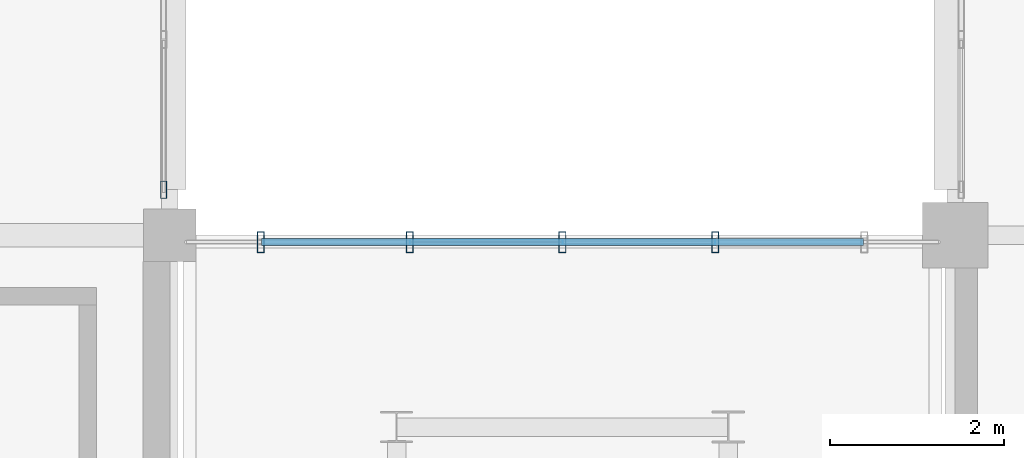
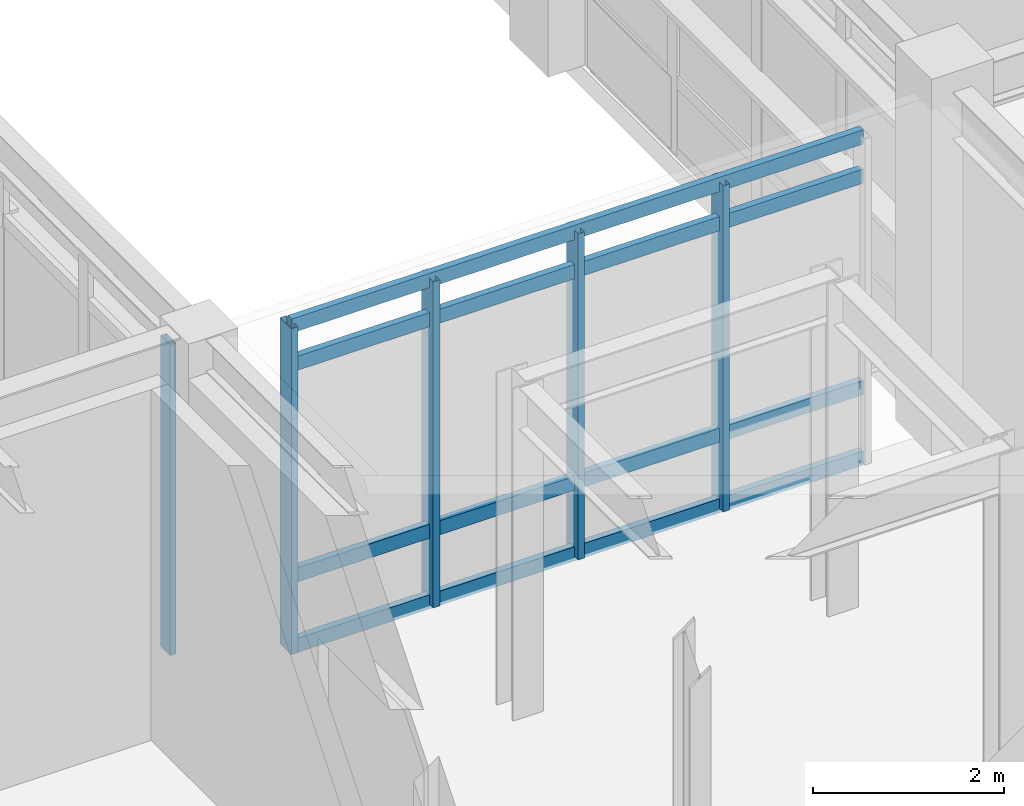
# One storey, part 93 of 200: 9 members, 2 elements without a shape of their own.
"""IFC4 building model written with IfcOpenShell, lengths in metres."""

from ifc_helpers import new_model, si_unit, direction, frame, origin, origin_2d, place, context, subcontext, project, spatial, hollow_rectangle, extrude, material, material_profile, profile_set, type_object, element, aggregate, save


model = new_model("IFC4")

# Units and contexts
model_context = context("Model", 3, precision=1e-05, world=origin(), true_north=direction((0.0, 1.0)))
body_context = subcontext(model_context, "Body", "Model", "MODEL_VIEW")
ifc_project = project(units=[si_unit("LENGTHUNIT", "METRE"), si_unit("AREAUNIT", "SQUARE_METRE"), si_unit("VOLUMEUNIT", "CUBIC_METRE"), si_unit("PLANEANGLEUNIT", "RADIAN"), si_unit("MASSUNIT", "GRAM", prefix="KILO"), si_unit("THERMODYNAMICTEMPERATUREUNIT", "KELVIN"), si_unit("POWERUNIT", "WATT")], contexts=[model_context])

# Site, building, storey
site_placement = place(None, origin())
site = spatial("IfcSite", under=ifc_project, at=site_placement, CompositionType="ELEMENT")
building_placement = place(site_placement, origin())
building = spatial("IfcBuilding", under=site, at=building_placement, Name="Tepalcoro Natatorium and Aquatics Centre", CompositionType="ELEMENT")
storey_placement = place(building_placement, frame((0.0, 0.0, 5.39990234375)))
storey = spatial("IfcBuildingStorey", under=building, at=storey_placement, Name="L01", CompositionType="ELEMENT", Elevation=5.39990234375)

# Curtain wall, member
ifc_material = material(Name="Bronze-Anodised Extruded Aluminium Alloy EN AW-6063 T6", Category="aluminium")
curtain_wall_type_1 = type_object("IfcCurtainWallType", Name="CW_LEAN_T2_EW", PredefinedType="USERDEFINED", material=ifc_material)
curtain_wall_1_placement = place(storey_placement, origin())
curtain_wall_1 = element("IfcCurtainWall", 1, at=curtain_wall_1_placement, inside=storey, type_object=curtain_wall_type_1, Name="V4 L01 E Unitised Curtain Wall Bay 3", ObjectType="FACETED SOLAR GLAZING", PredefinedType="USERDEFINED")
ifc_material_profile_1 = material_profile(ifc_material, hollow_rectangle(XDim=0.070068359375, YDim=0.199951171875, WallThickness=0.0048828125, at=origin_2d()), Name="AL70X200X5")
ifc_profile_set_1 = profile_set([ifc_material_profile_1], Name="Bronze-Anodised Extruded Aluminium Alloy EN AW-6063 T6")
member_type_1 = type_object("IfcMemberType", Name="CW_MUL_70x200", PredefinedType="MULLION", material=ifc_profile_set_1)
member_1_placement = place(storey_placement, frame((88.9287109375, 102.52001953125, 0.02001953125), z_axis=(0.0, 0.0, 1.0), x_axis=(1.0, 0.0, 0.0)))
member_1 = element("IfcMember", 2, at=member_1_placement, type_object=member_type_1, Name="CW_LEAN_T2_EW Curtain Wall Mullion", PredefinedType="MULLION", context=body_context, shape_type="SweptSolid", body=[
    extrude(hollow_rectangle(XDim=0.070068359375, YDim=0.199951171875, WallThickness=0.0048828125, at=origin_2d()), origin(), (0.0, 0.0, 1.0), 3.969970703125),
])
aggregate(curtain_wall_1, [member_1])

# Curtain wall, members
curtain_wall_type_2 = type_object("IfcCurtainWallType", Name="CW_LINK_150", PredefinedType="USERDEFINED", material=ifc_material)
curtain_wall_2_placement = place(storey_placement, origin())
curtain_wall_2 = element("IfcCurtainWall", 3, at=curtain_wall_2_placement, inside=storey, type_object=curtain_wall_type_2, Name="North Spine Seismic Link Glazed Wall N L01", ObjectType="UNITISED STOREFRONT", PredefinedType="USERDEFINED")
ifc_material_profile_2 = material_profile(ifc_material, hollow_rectangle(XDim=0.080078125, YDim=0.239990234375, WallThickness=0.0048828125, at=origin_2d()), Name="AL80X240X5")
ifc_profile_set_2 = profile_set([ifc_material_profile_2], Name="Bronze-Anodised Extruded Aluminium Alloy EN AW-6063 T6")
member_type_2 = type_object("IfcMemberType", Name="CW_MUL_80x240", PredefinedType="MULLION", material=ifc_profile_set_2)
member_2_placement = place(storey_placement, frame((90.0400390625, 101.919921875, 0.02001953125), z_axis=(0.0, 0.0, 1.0), x_axis=(1.0, 0.0, 0.0)))
member_2 = element("IfcMember", 4, at=member_2_placement, type_object=member_type_2, Name="CW_LINK_150 Curtain Wall Mullion", PredefinedType="MULLION", context=body_context, shape_type="SweptSolid", body=[
    extrude(hollow_rectangle(XDim=0.080078125, YDim=0.239990234375, WallThickness=0.0048828125, at=origin_2d()), origin(), (0.0, 0.0, 1.0), 4.16015625),
])
member_3_placement = place(storey_placement, frame((91.75, 101.919921875, 0.02001953125), z_axis=(0.0, 0.0, 1.0), x_axis=(1.0, 0.0, 0.0)))
member_3 = element("IfcMember", 5, at=member_3_placement, type_object=member_type_2, Name="CW_LINK_150 Curtain Wall Mullion", PredefinedType="MULLION", context=body_context, shape_type="SweptSolid", body=[
    extrude(hollow_rectangle(XDim=0.080078125, YDim=0.239990234375, WallThickness=0.0048828125, at=origin_2d()), origin(), (0.0, 0.0, 1.0), 4.16015625),
])
member_4_placement = place(storey_placement, frame((93.5, 101.919921875, 0.02001953125), z_axis=(0.0, 0.0, 1.0), x_axis=(1.0, 0.0, 0.0)))
member_4 = element("IfcMember", 6, at=member_4_placement, type_object=member_type_2, Name="CW_LINK_150 Curtain Wall Mullion", PredefinedType="MULLION", context=body_context, shape_type="SweptSolid", body=[
    extrude(hollow_rectangle(XDim=0.080078125, YDim=0.239990234375, WallThickness=0.0048828125, at=origin_2d()), origin(), (0.0, 0.0, 1.0), 4.16015625),
])
member_5_placement = place(storey_placement, frame((95.25, 101.919921875, 0.02001953125), z_axis=(0.0, 0.0, 1.0), x_axis=(1.0, 0.0, 0.0)))
member_5 = element("IfcMember", 7, at=member_5_placement, type_object=member_type_2, Name="CW_LINK_150 Curtain Wall Mullion", PredefinedType="MULLION", context=body_context, shape_type="SweptSolid", body=[
    extrude(hollow_rectangle(XDim=0.080078125, YDim=0.239990234375, WallThickness=0.0048828125, at=origin_2d()), origin(), (0.0, 0.0, 1.0), 4.16015625),
])
ifc_material_profile_3 = material_profile(ifc_material, hollow_rectangle(XDim=0.080078125, YDim=0.179931640625, WallThickness=0.0048828125, at=origin_2d()), Name="AL80X180X5")
ifc_profile_set_3 = profile_set([ifc_material_profile_3], Name="Bronze-Anodised Extruded Aluminium Alloy EN AW-6063 T6")
member_type_3 = type_object("IfcMemberType", Name="CW_TRN_80x180", PredefinedType="USERDEFINED", material=ifc_profile_set_3)
member_6_placement = place(storey_placement, frame((90.050048828125, 101.919921875, 0.050048828125), z_axis=(1.0, 0.0, 0.0), x_axis=(0.0, 1.0, 0.0)))
member_6 = element("IfcMember", 8, at=member_6_placement, type_object=member_type_3, Name="CW_LINK_150 Curtain Wall Transom", ObjectType="TRANSOM", PredefinedType="USERDEFINED", context=body_context, shape_type="SweptSolid", body=[
    extrude(hollow_rectangle(XDim=0.080078125, YDim=0.179931640625, WallThickness=0.0048828125, at=origin_2d()), origin(), (0.0, 0.0, 1.0), 6.89990234375),
])
member_7_placement = place(storey_placement, frame((90.050048828125, 101.919921875, 0.9501953125), z_axis=(1.0, 0.0, 0.0), x_axis=(0.0, 1.0, 0.0)))
member_7 = element("IfcMember", 9, at=member_7_placement, type_object=member_type_3, Name="CW_LINK_150 Curtain Wall Transom", ObjectType="TRANSOM", PredefinedType="USERDEFINED", context=body_context, shape_type="SweptSolid", body=[
    extrude(hollow_rectangle(XDim=0.080078125, YDim=0.179931640625, WallThickness=0.0048828125, at=origin_2d()), origin(), (0.0, 0.0, 1.0), 6.89990234375),
])
member_8_placement = place(storey_placement, frame((90.050048828125, 101.919921875, 3.650146484375), z_axis=(1.0, 0.0, 0.0), x_axis=(0.0, 1.0, 0.0)))
member_8 = element("IfcMember", 10, at=member_8_placement, type_object=member_type_3, Name="CW_LINK_150 Curtain Wall Transom", ObjectType="TRANSOM", PredefinedType="USERDEFINED", context=body_context, shape_type="SweptSolid", body=[
    extrude(hollow_rectangle(XDim=0.080078125, YDim=0.179931640625, WallThickness=0.0048828125, at=origin_2d()), origin(), (0.0, 0.0, 1.0), 6.89990234375),
])
member_9_placement = place(storey_placement, frame((90.050048828125, 101.919921875, 4.150146484375), z_axis=(1.0, 0.0, 0.0), x_axis=(0.0, 1.0, 0.0)))
member_9 = element("IfcMember", 11, at=member_9_placement, type_object=member_type_3, Name="CW_LINK_150 Curtain Wall Transom", ObjectType="TRANSOM", PredefinedType="USERDEFINED", context=body_context, shape_type="SweptSolid", body=[
    extrude(hollow_rectangle(XDim=0.080078125, YDim=0.179931640625, WallThickness=0.0048828125, at=origin_2d()), origin(), (0.0, 0.0, 1.0), 6.89990234375),
])
aggregate(curtain_wall_2, [member_2, member_3, member_4, member_5, member_6, member_7, member_8, member_9])

save(model, "model.ifc")
